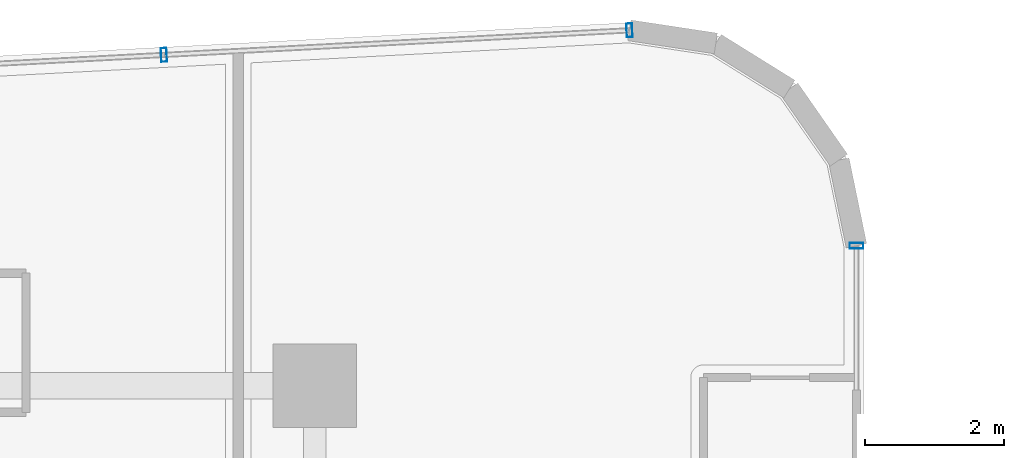
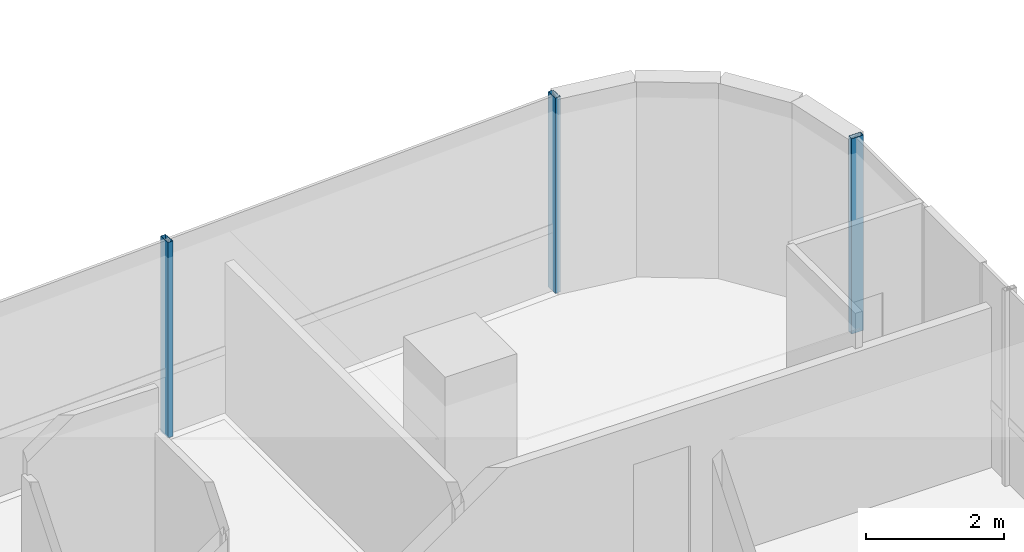
# One storey, part 21 of 33: 3 members, 2 elements without a shape of their own.
"""IFC4 building model written with IfcOpenShell, lengths in metres."""

from ifc_helpers import new_model, si_unit, direction, frame, origin, origin_2d, place, context, subcontext, project, spatial, hollow_rectangle, extrude, source, transform, mapped, material, material_profile, profile_set, type_object, element, aggregate, save


model = new_model("IFC4")

# Units and contexts
model_context = context("Model", 3, precision=1e-05, world=origin(), true_north=direction((0.0, 1.0)))
body_context = subcontext(model_context, "Body", "Model", "MODEL_VIEW")
ifc_project = project(units=[si_unit("LENGTHUNIT", "METRE"), si_unit("AREAUNIT", "SQUARE_METRE"), si_unit("VOLUMEUNIT", "CUBIC_METRE"), si_unit("PLANEANGLEUNIT", "RADIAN"), si_unit("MASSUNIT", "GRAM", prefix="KILO")], contexts=[model_context])

# Site, building, storey
site_placement = place(None, origin())
site = spatial("IfcSite", under=ifc_project, at=site_placement, CompositionType="ELEMENT")
building_placement = place(site_placement, origin())
building = spatial("IfcBuilding", under=site, at=building_placement, Name="Valdorenza Pilgrim Sanctuary Tower", CompositionType="ELEMENT")
storey_placement = place(building_placement, frame((0.0, 0.0, 157.5)))
storey = spatial("IfcBuildingStorey", under=building, at=storey_placement, Name="L40", CompositionType="ELEMENT", Elevation=157.5)

# Curtain wall, members
ifc_material_1 = material(Name="Curtain-wall IGU glazing", Category="glass")
curtain_wall_type = type_object("IfcCurtainWallType", Name="CW-SYS-02", PredefinedType="NOTDEFINED", material=ifc_material_1)
curtain_wall_1_placement = place(storey_placement, origin())
curtain_wall_1 = element("IfcCurtainWall", 1, at=curtain_wall_1_placement, inside=storey, type_object=curtain_wall_type, Name="L40 Curtain Wall CW-L40-1-6", PredefinedType="NOTDEFINED")
ifc_material_2 = material(Name="Anodised aluminium AW-6060", Category="aluminium")
ifc_material_profile = material_profile(ifc_material_2, hollow_rectangle(XDim=0.0849609375, YDim=0.199951171875, WallThickness=0.0048828125, at=origin_2d()), Name="ALU-M 200x85x5")
ifc_profile_set = profile_set([ifc_material_profile], Name="Anodised aluminium AW-6060")
member_type = type_object("IfcMemberType", Name="CW-MUL-02", PredefinedType="MULLION", material=ifc_profile_set)
shared_shape = source(origin(), body_context, "Body", "SweptSolid", [
    extrude(hollow_rectangle(XDim=0.0849609375, YDim=0.199951171875, WallThickness=0.0048828125, at=origin_2d()), origin(), (0.0, 0.0, 1.0), 3.4599609375),
])
member_1_placement = place(storey_placement, frame((-14.56689453125, 19.55810546875, 0.0), z_axis=(0.0, 0.0, 1.0), x_axis=(0.998607524712, 0.052754256601, 0.0)))
member_1 = element("IfcMember", 2, at=member_1_placement, type_object=member_type, Name="CW-L40-1-6 Mullion 3", PredefinedType="MULLION", context=body_context, shape_type="MappedRepresentation", body=[
    mapped(shared_shape, transform((0.0, 0.0, 0.0), x_axis=(1.0, 0.0, 0.0), y_axis=(0.0, 1.0, 0.0), z_axis=(0.0, 0.0, 1.0), scale=1.0)),
])
member_2_placement = place(storey_placement, frame((-7.874267578125, 19.91162109375, 0.0), z_axis=(0.0, 0.0, 1.0), x_axis=(0.998607524712, 0.052754256601, 0.0)))
member_2 = element("IfcMember", 3, at=member_2_placement, type_object=member_type, Name="CW-L40-1-6 Mullion 4", PredefinedType="MULLION", context=body_context, shape_type="MappedRepresentation", body=[
    mapped(shared_shape, transform((0.0, 0.0, 0.0), x_axis=(1.0, 0.0, 0.0), y_axis=(0.0, 1.0, 0.0), z_axis=(0.0, 0.0, 1.0), scale=1.0)),
])
aggregate(curtain_wall_1, [member_1, member_2])

# Curtain wall, member
curtain_wall_2_placement = place(storey_placement, origin())
curtain_wall_2 = element("IfcCurtainWall", 4, at=curtain_wall_2_placement, inside=storey, type_object=curtain_wall_type, Name="L40 Curtain Wall CW-L40-1-11", PredefinedType="NOTDEFINED")
member_3_placement = place(storey_placement, frame((-4.610107421875, 16.815185546875, 0.0), z_axis=(0.0, 0.0, 1.0), x_axis=(0.0, -1.0, 0.0)))
member_3 = element("IfcMember", 5, at=member_3_placement, type_object=member_type, Name="CW-L40-1-11 Mullion 1", PredefinedType="MULLION", context=body_context, shape_type="MappedRepresentation", body=[
    mapped(shared_shape, transform((0.0, 0.0, 0.0), x_axis=(1.0, 0.0, 0.0), y_axis=(0.0, 1.0, 0.0), z_axis=(0.0, 0.0, 1.0), scale=1.0)),
])
aggregate(curtain_wall_2, [member_3])

save(model, "model.ifc")
